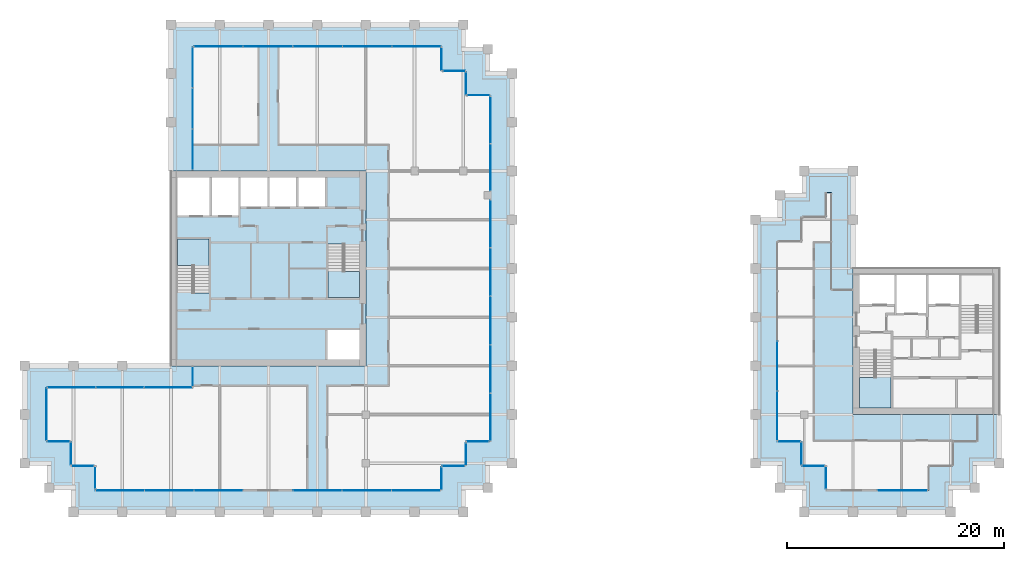
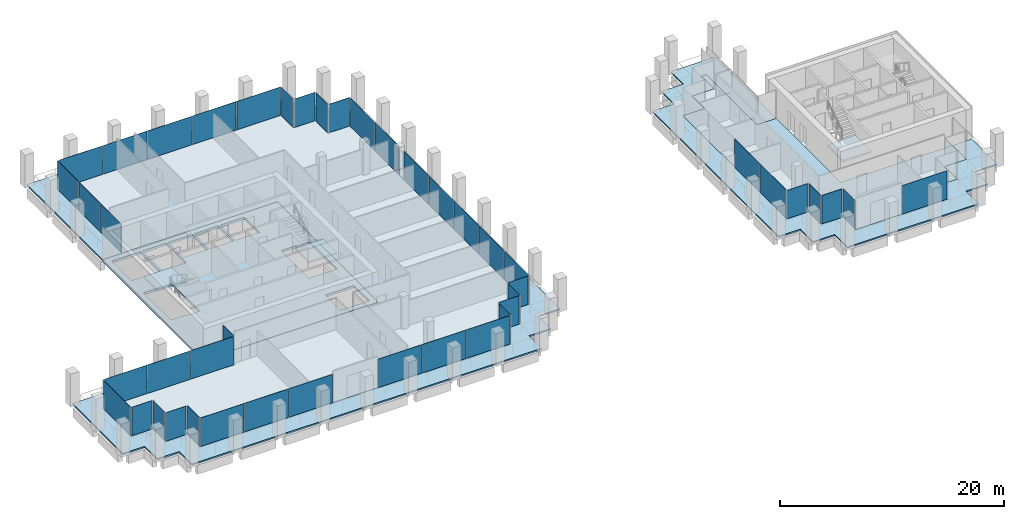
# One storey, part 34 of 40: 45 plates, 8 slabs, 30 elements without a shape of their own.
"""IFC4 building model written with IfcOpenShell, lengths in metres."""

from ifc_helpers import new_model, si_unit, direction, frame, origin, origin_2d, place, context, subcontext, project, spatial, polyline, rectangle, outline, extrude, material, layer, layer_set, type_object, element, aggregate, save


model = new_model("IFC4")

# Units and contexts
model_context = context("Model", 3, precision=1e-05, world=origin(), true_north=direction((0.0, 1.0)))
body_context = subcontext(model_context, "Body", "Model", "MODEL_VIEW")
ifc_project = project(units=[si_unit("LENGTHUNIT", "METRE"), si_unit("AREAUNIT", "SQUARE_METRE"), si_unit("VOLUMEUNIT", "CUBIC_METRE"), si_unit("PLANEANGLEUNIT", "RADIAN"), si_unit("MASSUNIT", "GRAM", prefix="KILO")], contexts=[model_context])

# Site, building, storey
site_placement = place(None, origin())
site = spatial("IfcSite", under=ifc_project, at=site_placement, CompositionType="ELEMENT")
building_placement = place(site_placement, origin())
building = spatial("IfcBuilding", under=site, at=building_placement, Name="Altepetl Exchange Towers", CompositionType="ELEMENT")
storey_placement = place(building_placement, frame((0.0, 0.0, 147.39990234375)))
storey = spatial("IfcBuildingStorey", under=building, at=storey_placement, Name="L36", CompositionType="ELEMENT", Elevation=147.39990234375)

# Slabs
ifc_material_1 = material(Name="Concrete C40/50", Category="concrete")
ifc_layer_1 = layer(ifc_material_1, 0.14990234375)
ifc_layer_set_1 = layer_set([ifc_layer_1], Name="Concrete C40/50")
slab_type_1 = type_object("IfcSlabType", Name="Composite floor slab 150", PredefinedType="FLOOR", material=ifc_layer_set_1)
slab_1_placement = place(storey_placement, frame((0.0, 0.0, -0.14990234375)))
element("IfcSlab", 1, at=slab_1_placement, inside=storey, type_object=slab_type_1, Name="slab:A:L36:strip0", PredefinedType="FLOOR", context=body_context, shape_type="SweptSolid", body=[
    extrude(outline(polyline([(42.5, 70.0), (42.5, 58.5), (58.5, 58.5), (58.5, 40.5), (42.5, 40.5), (42.5, 38.5), (29.0, 38.5), (29.0, 33.5), (31.25, 33.5), (31.25, 31.25), (33.5, 31.25), (33.5, 29.0), (65.5, 29.0), (65.5, 31.25), (67.75, 31.25), (67.75, 33.5), (70.0, 33.5), (70.0, 65.5), (67.75, 65.5), (67.75, 67.75), (65.5, 67.75), (65.5, 70.0), (42.5, 70.0)])), origin(), (0.0, 0.0, 1.0), 0.14990234375),
])
slab_2_placement = place(storey_placement, frame((0.0, 0.0, -0.14990234375)))
element("IfcSlab", 2, at=slab_2_placement, inside=storey, type_object=slab_type_1, Name="slab:B:L36:strip0", PredefinedType="FLOOR", context=body_context, shape_type="SweptSolid", body=[
    extrude(outline(polyline([(98.75, 31.25), (101.0, 31.25), (101.0, 29.0), (110.5, 29.0), (110.5, 31.25), (112.75, 31.25), (112.75, 33.5), (115.0, 33.5), (115.0, 36.0), (103.5, 36.0), (103.5, 47.5), (101.5, 47.5), (101.5, 56.5), (101.0, 56.5), (101.0, 54.25), (98.75, 54.25), (98.75, 52.0), (96.5, 52.0), (96.5, 33.5), (98.75, 33.5), (98.75, 31.25)])), origin(), (0.0, 0.0, 1.0), 0.14990234375),
])
ifc_layer_2 = layer(ifc_material_1, 0.25)
ifc_layer_set_2 = layer_set([ifc_layer_2], Name="Concrete C40/50")
slab_type_2 = type_object("IfcSlabType", Name="Core floor slab 250", PredefinedType="FLOOR", material=ifc_layer_set_2)
slab_3_placement = place(storey_placement, frame((0.0, 0.0, -0.25)))
element("IfcSlab", 3, at=slab_3_placement, inside=storey, type_object=slab_type_2, Name="slab:A:L36:core0", PredefinedType="FLOOR", context=body_context, shape_type="SweptSolid", body=[
    extrude(outline(polyline([(40.5, 40.5), (58.5, 40.5), (58.5, 58.5), (40.5, 58.5), (40.5, 40.5)]), holes=[polyline([(54.93310546875, 43.800048828125), (57.89990234375, 43.800048828125), (57.89990234375, 41.10009765625), (54.93310546875, 41.10009765625), (54.93310546875, 43.800048828125)]), polyline([(55.0, 51.7490234375), (56.5, 51.7490234375), (56.5, 51.64990234375), (57.89990234375, 51.64990234375), (57.89990234375, 46.800048828125), (55.0, 46.800048828125), (55.0, 51.7490234375)]), polyline([(44.0, 47.2509765625), (42.5, 47.2509765625), (42.5, 47.35009765625), (41.10009765625, 47.35009765625), (41.10009765625, 52.199951171875), (44.0, 52.199951171875), (44.0, 47.2509765625)]), polyline([(41.10009765625, 57.89990234375), (44.06689453125, 57.89990234375), (44.06689453125, 54.39990234375), (41.10009765625, 54.39990234375), (41.10009765625, 57.89990234375)]), polyline([(44.26708984375, 57.89990234375), (46.73291015625, 57.89990234375), (46.73291015625, 54.39990234375), (44.26708984375, 54.39990234375), (44.26708984375, 57.89990234375)]), polyline([(46.93310546875, 57.89990234375), (49.39990234375, 57.89990234375), (49.39990234375, 55.199951171875), (46.93310546875, 55.199951171875), (46.93310546875, 57.89990234375)]), polyline([(49.60009765625, 57.89990234375), (52.06689453125, 57.89990234375), (52.06689453125, 55.199951171875), (49.60009765625, 55.199951171875), (49.60009765625, 57.89990234375)]), polyline([(52.26708984375, 57.89990234375), (54.73291015625, 57.89990234375), (54.73291015625, 55.199951171875), (52.26708984375, 55.199951171875), (52.26708984375, 57.89990234375)])]), origin(), (0.0, 0.0, 1.0), 0.25),
])

# Curtain wall, plate
ifc_material_2 = material(Name="Aluminium 6063-T6 glazing", Category="aluminium")
curtain_wall_type = type_object("IfcCurtainWallType", Name="Loggia glazing system", PredefinedType="NOTDEFINED", material=ifc_material_2)
curtain_wall_1_placement = place(storey_placement, origin())
curtain_wall_1 = element("IfcCurtainWall", 4, at=curtain_wall_1_placement, inside=storey, type_object=curtain_wall_type, Name="CW1 run", PredefinedType="NOTDEFINED")
ifc_material_3 = material(Name="Glass 6-16-6 low emissivity", Category="glass")
ifc_layer_3 = layer(ifc_material_3, 0.028076171875)
ifc_layer_set_3 = layer_set([ifc_layer_3], Name="Glass 6-16-6 low emissivity")
plate_type = type_object("IfcPlateType", Name="Glass panel 28 double glazed", PredefinedType="CURTAIN_PANEL", material=ifc_layer_set_3)
plate_1_placement = place(storey_placement, frame((42.5, 39.53759765625, 0.0), z_axis=(0.0, 0.0, 1.0), x_axis=(0.0, -1.0, 0.0)))
plate_1 = element("IfcPlate", 5, at=plate_1_placement, type_object=plate_type, Name="GP1 panel", PredefinedType="CURTAIN_PANEL", context=body_context, shape_type="SweptSolid", body=[
    extrude(rectangle(XDim=1.804931640625, YDim=0.028076171875, at=origin_2d()), origin(), (0.0, 0.0, 1.0), 3.10009765625),
])
aggregate(curtain_wall_1, [plate_1])

# Curtain wall, plates
curtain_wall_2_placement = place(storey_placement, origin())
curtain_wall_2 = element("IfcCurtainWall", 6, at=curtain_wall_2_placement, inside=storey, type_object=curtain_wall_type, Name="CW1 run", PredefinedType="NOTDEFINED")
plate_2_placement = place(storey_placement, frame((40.24755859375, 38.5, 0.0), z_axis=(0.0, 0.0, 1.0), x_axis=(-1.0, 0.0, 0.0)))
plate_2 = element("IfcPlate", 7, at=plate_2_placement, type_object=plate_type, Name="GP1 panel", PredefinedType="CURTAIN_PANEL", context=body_context, shape_type="SweptSolid", body=[
    extrude(rectangle(XDim=4.385009765625, YDim=0.028076171875, at=origin_2d()), origin(), (0.0, 0.0, 1.0), 3.10009765625),
])
plate_3_placement = place(storey_placement, frame((35.78759765625, 38.5, 0.0), z_axis=(0.0, 0.0, 1.0), x_axis=(-1.0, 0.0, 0.0)))
plate_3 = element("IfcPlate", 8, at=plate_3_placement, type_object=plate_type, Name="GP1 panel", PredefinedType="CURTAIN_PANEL", context=body_context, shape_type="SweptSolid", body=[
    extrude(rectangle(XDim=4.4150390625, YDim=0.028076171875, at=origin_2d()), origin(), (0.0, 0.0, 1.0), 3.10009765625),
])
plate_4_placement = place(storey_placement, frame((31.327392578125, 38.5, 0.0), z_axis=(0.0, 0.0, 1.0), x_axis=(-1.0, 0.0, 0.0)))
plate_4 = element("IfcPlate", 9, at=plate_4_placement, type_object=plate_type, Name="GP1 panel", PredefinedType="CURTAIN_PANEL", context=body_context, shape_type="SweptSolid", body=[
    extrude(rectangle(XDim=4.385009765625, YDim=0.028076171875, at=origin_2d()), origin(), (0.0, 0.0, 1.0), 3.10009765625),
])
aggregate(curtain_wall_2, [plate_2, plate_3, plate_4])

# Curtain wall, plate
curtain_wall_3_placement = place(storey_placement, origin())
curtain_wall_3 = element("IfcCurtainWall", 10, at=curtain_wall_3_placement, inside=storey, type_object=curtain_wall_type, Name="CW1 run", PredefinedType="NOTDEFINED")
plate_5_placement = place(storey_placement, frame((29.0, 36.03759765625, 0.0), z_axis=(0.0, 0.0, 1.0), x_axis=(0.0, -1.0, 0.0)))
plate_5 = element("IfcPlate", 11, at=plate_5_placement, type_object=plate_type, Name="GP1 panel", PredefinedType="CURTAIN_PANEL", context=body_context, shape_type="SweptSolid", body=[
    extrude(rectangle(XDim=4.804931640625, YDim=0.028076171875, at=origin_2d()), origin(), (0.0, 0.0, 1.0), 3.10009765625),
])
aggregate(curtain_wall_3, [plate_5])

curtain_wall_4_placement = place(storey_placement, origin())
curtain_wall_4 = element("IfcCurtainWall", 12, at=curtain_wall_4_placement, inside=storey, type_object=curtain_wall_type, Name="CW1 run", PredefinedType="NOTDEFINED")
plate_6_placement = place(storey_placement, frame((30.08740234375, 33.5, 0.0)))
plate_6 = element("IfcPlate", 13, at=plate_6_placement, type_object=plate_type, Name="GP1 panel", PredefinedType="CURTAIN_PANEL", context=body_context, shape_type="SweptSolid", body=[
    extrude(rectangle(XDim=2.054931640625, YDim=0.028076171875, at=origin_2d()), origin(), (0.0, 0.0, 1.0), 3.10009765625),
])
aggregate(curtain_wall_4, [plate_6])

curtain_wall_5_placement = place(storey_placement, origin())
curtain_wall_5 = element("IfcCurtainWall", 14, at=curtain_wall_5_placement, inside=storey, type_object=curtain_wall_type, Name="CW1 run", PredefinedType="NOTDEFINED")
plate_7_placement = place(storey_placement, frame((31.25, 32.41259765625, 0.0), z_axis=(0.0, 0.0, 1.0), x_axis=(0.0, -1.0, 0.0)))
plate_7 = element("IfcPlate", 15, at=plate_7_placement, type_object=plate_type, Name="GP1 panel", PredefinedType="CURTAIN_PANEL", context=body_context, shape_type="SweptSolid", body=[
    extrude(rectangle(XDim=2.054931640625, YDim=0.028076171875, at=origin_2d()), origin(), (0.0, 0.0, 1.0), 3.10009765625),
])
aggregate(curtain_wall_5, [plate_7])

curtain_wall_6_placement = place(storey_placement, origin())
curtain_wall_6 = element("IfcCurtainWall", 16, at=curtain_wall_6_placement, inside=storey, type_object=curtain_wall_type, Name="CW1 run", PredefinedType="NOTDEFINED")
plate_8_placement = place(storey_placement, frame((32.33740234375, 31.25, 0.0)))
plate_8 = element("IfcPlate", 17, at=plate_8_placement, type_object=plate_type, Name="GP1 panel", PredefinedType="CURTAIN_PANEL", context=body_context, shape_type="SweptSolid", body=[
    extrude(rectangle(XDim=2.054931640625, YDim=0.028076171875, at=origin_2d()), origin(), (0.0, 0.0, 1.0), 3.10009765625),
])
aggregate(curtain_wall_6, [plate_8])

curtain_wall_7_placement = place(storey_placement, origin())
curtain_wall_7 = element("IfcCurtainWall", 18, at=curtain_wall_7_placement, inside=storey, type_object=curtain_wall_type, Name="CW1 run", PredefinedType="NOTDEFINED")
plate_9_placement = place(storey_placement, frame((33.5, 30.16259765625, 0.0), z_axis=(0.0, 0.0, 1.0), x_axis=(0.0, -1.0, 0.0)))
plate_9 = element("IfcPlate", 19, at=plate_9_placement, type_object=plate_type, Name="GP1 panel", PredefinedType="CURTAIN_PANEL", context=body_context, shape_type="SweptSolid", body=[
    extrude(rectangle(XDim=2.054931640625, YDim=0.028076171875, at=origin_2d()), origin(), (0.0, 0.0, 1.0), 3.10009765625),
])
aggregate(curtain_wall_7, [plate_9])

# Curtain wall, plates
curtain_wall_8_placement = place(storey_placement, origin())
curtain_wall_8 = element("IfcCurtainWall", 20, at=curtain_wall_8_placement, inside=storey, type_object=curtain_wall_type, Name="CW1 run", PredefinedType="NOTDEFINED")
plate_10_placement = place(storey_placement, frame((35.79541015625, 29.0, 0.0)))
plate_10 = element("IfcPlate", 21, at=plate_10_placement, type_object=plate_type, Name="GP1 panel", PredefinedType="CURTAIN_PANEL", context=body_context, shape_type="SweptSolid", body=[
    extrude(rectangle(XDim=4.470703125, YDim=0.028076171875, at=origin_2d()), origin(), (0.0, 0.0, 1.0), 3.10009765625),
])
plate_11_placement = place(storey_placement, frame((40.341064453125, 29.0, 0.0)))
plate_11 = element("IfcPlate", 22, at=plate_11_placement, type_object=plate_type, Name="GP1 panel", PredefinedType="CURTAIN_PANEL", context=body_context, shape_type="SweptSolid", body=[
    extrude(rectangle(XDim=4.500732421875, YDim=0.028076171875, at=origin_2d()), origin(), (0.0, 0.0, 1.0), 3.10009765625),
])
plate_12_placement = place(storey_placement, frame((44.88671875, 29.0, 0.0)))
plate_12 = element("IfcPlate", 23, at=plate_12_placement, type_object=plate_type, Name="GP1 panel", PredefinedType="CURTAIN_PANEL", context=body_context, shape_type="SweptSolid", body=[
    extrude(rectangle(XDim=4.470703125, YDim=0.028076171875, at=origin_2d()), origin(), (0.0, 0.0, 1.0), 3.10009765625),
])
aggregate(curtain_wall_8, [plate_10, plate_11, plate_12])

curtain_wall_9_placement = place(storey_placement, origin())
curtain_wall_9 = element("IfcCurtainWall", 24, at=curtain_wall_9_placement, inside=storey, type_object=curtain_wall_type, Name="CW1 run", PredefinedType="NOTDEFINED")
plate_13_placement = place(storey_placement, frame((54.038330078125, 29.0, 0.0)))
plate_13 = element("IfcPlate", 25, at=plate_13_placement, type_object=plate_type, Name="GP1 panel", PredefinedType="CURTAIN_PANEL", context=body_context, shape_type="SweptSolid", body=[
    extrude(rectangle(XDim=4.470703125, YDim=0.028076171875, at=origin_2d()), origin(), (0.0, 0.0, 1.0), 3.10009765625),
])
plate_14_placement = place(storey_placement, frame((58.583984375, 29.0, 0.0)))
plate_14 = element("IfcPlate", 26, at=plate_14_placement, type_object=plate_type, Name="GP1 panel", PredefinedType="CURTAIN_PANEL", context=body_context, shape_type="SweptSolid", body=[
    extrude(rectangle(XDim=4.500732421875, YDim=0.028076171875, at=origin_2d()), origin(), (0.0, 0.0, 1.0), 3.10009765625),
])
plate_15_placement = place(storey_placement, frame((63.129638671875, 29.0, 0.0)))
plate_15 = element("IfcPlate", 27, at=plate_15_placement, type_object=plate_type, Name="GP1 panel", PredefinedType="CURTAIN_PANEL", context=body_context, shape_type="SweptSolid", body=[
    extrude(rectangle(XDim=4.470703125, YDim=0.028076171875, at=origin_2d()), origin(), (0.0, 0.0, 1.0), 3.10009765625),
])
aggregate(curtain_wall_9, [plate_13, plate_14, plate_15])

# Curtain wall, plate
curtain_wall_10_placement = place(storey_placement, origin())
curtain_wall_10 = element("IfcCurtainWall", 28, at=curtain_wall_10_placement, inside=storey, type_object=curtain_wall_type, Name="CW1 run", PredefinedType="NOTDEFINED")
plate_16_placement = place(storey_placement, frame((65.5, 30.08740234375, 0.0), z_axis=(0.0, 0.0, 1.0), x_axis=(0.0, 1.0, 0.0)))
plate_16 = element("IfcPlate", 29, at=plate_16_placement, type_object=plate_type, Name="GP1 panel", PredefinedType="CURTAIN_PANEL", context=body_context, shape_type="SweptSolid", body=[
    extrude(rectangle(XDim=2.054931640625, YDim=0.028076171875, at=origin_2d()), origin(), (0.0, 0.0, 1.0), 3.10009765625),
])
aggregate(curtain_wall_10, [plate_16])

curtain_wall_11_placement = place(storey_placement, origin())
curtain_wall_11 = element("IfcCurtainWall", 30, at=curtain_wall_11_placement, inside=storey, type_object=curtain_wall_type, Name="CW1 run", PredefinedType="NOTDEFINED")
plate_17_placement = place(storey_placement, frame((66.58740234375, 31.25, 0.0)))
plate_17 = element("IfcPlate", 31, at=plate_17_placement, type_object=plate_type, Name="GP1 panel", PredefinedType="CURTAIN_PANEL", context=body_context, shape_type="SweptSolid", body=[
    extrude(rectangle(XDim=2.054931640625, YDim=0.028076171875, at=origin_2d()), origin(), (0.0, 0.0, 1.0), 3.10009765625),
])
aggregate(curtain_wall_11, [plate_17])

curtain_wall_12_placement = place(storey_placement, origin())
curtain_wall_12 = element("IfcCurtainWall", 32, at=curtain_wall_12_placement, inside=storey, type_object=curtain_wall_type, Name="CW1 run", PredefinedType="NOTDEFINED")
plate_18_placement = place(storey_placement, frame((67.75, 32.33740234375, 0.0), z_axis=(0.0, 0.0, 1.0), x_axis=(0.0, 1.0, 0.0)))
plate_18 = element("IfcPlate", 33, at=plate_18_placement, type_object=plate_type, Name="GP1 panel", PredefinedType="CURTAIN_PANEL", context=body_context, shape_type="SweptSolid", body=[
    extrude(rectangle(XDim=2.054931640625, YDim=0.028076171875, at=origin_2d()), origin(), (0.0, 0.0, 1.0), 3.10009765625),
])
aggregate(curtain_wall_12, [plate_18])

curtain_wall_13_placement = place(storey_placement, origin())
curtain_wall_13 = element("IfcCurtainWall", 34, at=curtain_wall_13_placement, inside=storey, type_object=curtain_wall_type, Name="CW1 run", PredefinedType="NOTDEFINED")
plate_19_placement = place(storey_placement, frame((68.83740234375, 33.5, 0.0)))
plate_19 = element("IfcPlate", 35, at=plate_19_placement, type_object=plate_type, Name="GP1 panel", PredefinedType="CURTAIN_PANEL", context=body_context, shape_type="SweptSolid", body=[
    extrude(rectangle(XDim=2.054931640625, YDim=0.028076171875, at=origin_2d()), origin(), (0.0, 0.0, 1.0), 3.10009765625),
])
aggregate(curtain_wall_13, [plate_19])

# Curtain wall, plates
curtain_wall_14_placement = place(storey_placement, origin())
curtain_wall_14 = element("IfcCurtainWall", 36, at=curtain_wall_14_placement, inside=storey, type_object=curtain_wall_type, Name="CW1 run", PredefinedType="NOTDEFINED")
plate_20_placement = place(storey_placement, frame((70.0, 35.7529296875, 0.0), z_axis=(0.0, 0.0, 1.0), x_axis=(0.0, 1.0, 0.0)))
plate_20 = element("IfcPlate", 37, at=plate_20_placement, type_object=plate_type, Name="GP1 panel", PredefinedType="CURTAIN_PANEL", context=body_context, shape_type="SweptSolid", body=[
    extrude(rectangle(XDim=4.385986328125, YDim=0.028076171875, at=origin_2d()), origin(), (0.0, 0.0, 1.0), 3.10009765625),
])
plate_21_placement = place(storey_placement, frame((70.0, 40.214111328125, 0.0), z_axis=(0.0, 0.0, 1.0), x_axis=(0.0, 1.0, 0.0)))
plate_21 = element("IfcPlate", 38, at=plate_21_placement, type_object=plate_type, Name="GP1 panel", PredefinedType="CURTAIN_PANEL", context=body_context, shape_type="SweptSolid", body=[
    extrude(rectangle(XDim=4.416015625, YDim=0.028076171875, at=origin_2d()), origin(), (0.0, 0.0, 1.0), 3.10009765625),
])
plate_22_placement = place(storey_placement, frame((70.0, 44.68994140625, 0.0), z_axis=(0.0, 0.0, 1.0), x_axis=(0.0, 1.0, 0.0)))
plate_22 = element("IfcPlate", 39, at=plate_22_placement, type_object=plate_type, Name="GP1 panel", PredefinedType="CURTAIN_PANEL", context=body_context, shape_type="SweptSolid", body=[
    extrude(rectangle(XDim=4.416015625, YDim=0.028076171875, at=origin_2d()), origin(), (0.0, 0.0, 1.0), 3.10009765625),
])
plate_23_placement = place(storey_placement, frame((70.0, 49.166015625, 0.0), z_axis=(0.0, 0.0, 1.0), x_axis=(0.0, 1.0, 0.0)))
plate_23 = element("IfcPlate", 40, at=plate_23_placement, type_object=plate_type, Name="GP1 panel", PredefinedType="CURTAIN_PANEL", context=body_context, shape_type="SweptSolid", body=[
    extrude(rectangle(XDim=4.416015625, YDim=0.028076171875, at=origin_2d()), origin(), (0.0, 0.0, 1.0), 3.10009765625),
])
plate_24_placement = place(storey_placement, frame((70.0, 53.626953125, 0.0), z_axis=(0.0, 0.0, 1.0), x_axis=(0.0, 1.0, 0.0)))
plate_24 = element("IfcPlate", 41, at=plate_24_placement, type_object=plate_type, Name="GP1 panel", PredefinedType="CURTAIN_PANEL", context=body_context, shape_type="SweptSolid", body=[
    extrude(rectangle(XDim=4.385986328125, YDim=0.028076171875, at=origin_2d()), origin(), (0.0, 0.0, 1.0), 3.10009765625),
])
aggregate(curtain_wall_14, [plate_20, plate_21, plate_22, plate_23, plate_24])

curtain_wall_15_placement = place(storey_placement, origin())
curtain_wall_15 = element("IfcCurtainWall", 42, at=curtain_wall_15_placement, inside=storey, type_object=curtain_wall_type, Name="CW1 run", PredefinedType="NOTDEFINED")
plate_25_placement = place(storey_placement, frame((70.0, 58.836181640625, 0.0), z_axis=(0.0, 0.0, 1.0), x_axis=(0.0, 1.0, 0.0)))
plate_25 = element("IfcPlate", 43, at=plate_25_placement, type_object=plate_type, Name="GP1 panel", PredefinedType="CURTAIN_PANEL", context=body_context, shape_type="SweptSolid", body=[
    extrude(rectangle(XDim=4.3125, YDim=0.028076171875, at=origin_2d()), origin(), (0.0, 0.0, 1.0), 3.10009765625),
])
plate_26_placement = place(storey_placement, frame((70.0, 63.208740234375, 0.0), z_axis=(0.0, 0.0, 1.0), x_axis=(0.0, 1.0, 0.0)))
plate_26 = element("IfcPlate", 44, at=plate_26_placement, type_object=plate_type, Name="GP1 panel", PredefinedType="CURTAIN_PANEL", context=body_context, shape_type="SweptSolid", body=[
    extrude(rectangle(XDim=4.3125, YDim=0.028076171875, at=origin_2d()), origin(), (0.0, 0.0, 1.0), 3.10009765625),
])
aggregate(curtain_wall_15, [plate_25, plate_26])

# Curtain wall, plate
curtain_wall_16_placement = place(storey_placement, origin())
curtain_wall_16 = element("IfcCurtainWall", 45, at=curtain_wall_16_placement, inside=storey, type_object=curtain_wall_type, Name="CW1 run", PredefinedType="NOTDEFINED")
plate_27_placement = place(storey_placement, frame((68.91259765625, 65.5, 0.0), z_axis=(0.0, 0.0, 1.0), x_axis=(-1.0, 0.0, 0.0)))
plate_27 = element("IfcPlate", 46, at=plate_27_placement, type_object=plate_type, Name="GP1 panel", PredefinedType="CURTAIN_PANEL", context=body_context, shape_type="SweptSolid", body=[
    extrude(rectangle(XDim=2.054931640625, YDim=0.028076171875, at=origin_2d()), origin(), (0.0, 0.0, 1.0), 3.10009765625),
])
aggregate(curtain_wall_16, [plate_27])

curtain_wall_17_placement = place(storey_placement, origin())
curtain_wall_17 = element("IfcCurtainWall", 47, at=curtain_wall_17_placement, inside=storey, type_object=curtain_wall_type, Name="CW1 run", PredefinedType="NOTDEFINED")
plate_28_placement = place(storey_placement, frame((67.75, 66.58740234375, 0.0), z_axis=(0.0, 0.0, 1.0), x_axis=(0.0, 1.0, 0.0)))
plate_28 = element("IfcPlate", 48, at=plate_28_placement, type_object=plate_type, Name="GP1 panel", PredefinedType="CURTAIN_PANEL", context=body_context, shape_type="SweptSolid", body=[
    extrude(rectangle(XDim=2.054931640625, YDim=0.028076171875, at=origin_2d()), origin(), (0.0, 0.0, 1.0), 3.10009765625),
])
aggregate(curtain_wall_17, [plate_28])

curtain_wall_18_placement = place(storey_placement, origin())
curtain_wall_18 = element("IfcCurtainWall", 49, at=curtain_wall_18_placement, inside=storey, type_object=curtain_wall_type, Name="CW1 run", PredefinedType="NOTDEFINED")
plate_29_placement = place(storey_placement, frame((66.66259765625, 67.75, 0.0), z_axis=(0.0, 0.0, 1.0), x_axis=(-1.0, 0.0, 0.0)))
plate_29 = element("IfcPlate", 50, at=plate_29_placement, type_object=plate_type, Name="GP1 panel", PredefinedType="CURTAIN_PANEL", context=body_context, shape_type="SweptSolid", body=[
    extrude(rectangle(XDim=2.054931640625, YDim=0.028076171875, at=origin_2d()), origin(), (0.0, 0.0, 1.0), 3.10009765625),
])
aggregate(curtain_wall_18, [plate_29])

curtain_wall_19_placement = place(storey_placement, origin())
curtain_wall_19 = element("IfcCurtainWall", 51, at=curtain_wall_19_placement, inside=storey, type_object=curtain_wall_type, Name="CW1 run", PredefinedType="NOTDEFINED")
plate_30_placement = place(storey_placement, frame((65.5, 68.83740234375, 0.0), z_axis=(0.0, 0.0, 1.0), x_axis=(0.0, 1.0, 0.0)))
plate_30 = element("IfcPlate", 52, at=plate_30_placement, type_object=plate_type, Name="GP1 panel", PredefinedType="CURTAIN_PANEL", context=body_context, shape_type="SweptSolid", body=[
    extrude(rectangle(XDim=2.054931640625, YDim=0.028076171875, at=origin_2d()), origin(), (0.0, 0.0, 1.0), 3.10009765625),
])
aggregate(curtain_wall_19, [plate_30])

# Curtain wall, plates
curtain_wall_20_placement = place(storey_placement, origin())
curtain_wall_20 = element("IfcCurtainWall", 53, at=curtain_wall_20_placement, inside=storey, type_object=curtain_wall_type, Name="CW1 run", PredefinedType="NOTDEFINED")
plate_31_placement = place(storey_placement, frame((63.1923828125, 70.0, 0.0), z_axis=(0.0, 0.0, 1.0), x_axis=(-1.0, 0.0, 0.0)))
plate_31 = element("IfcPlate", 54, at=plate_31_placement, type_object=plate_type, Name="GP1 panel", PredefinedType="CURTAIN_PANEL", context=body_context, shape_type="SweptSolid", body=[
    extrude(rectangle(XDim=4.4951171875, YDim=0.028076171875, at=origin_2d()), origin(), (0.0, 0.0, 1.0), 3.10009765625),
])
plate_32_placement = place(storey_placement, frame((58.62255859375, 70.0, 0.0), z_axis=(0.0, 0.0, 1.0), x_axis=(-1.0, 0.0, 0.0)))
plate_32 = element("IfcPlate", 55, at=plate_32_placement, type_object=plate_type, Name="GP1 panel", PredefinedType="CURTAIN_PANEL", context=body_context, shape_type="SweptSolid", body=[
    extrude(rectangle(XDim=4.52490234375, YDim=0.028076171875, at=origin_2d()), origin(), (0.0, 0.0, 1.0), 3.10009765625),
])
plate_33_placement = place(storey_placement, frame((54.03759765625, 70.0, 0.0), z_axis=(0.0, 0.0, 1.0), x_axis=(-1.0, 0.0, 0.0)))
plate_33 = element("IfcPlate", 56, at=plate_33_placement, type_object=plate_type, Name="GP1 panel", PredefinedType="CURTAIN_PANEL", context=body_context, shape_type="SweptSolid", body=[
    extrude(rectangle(XDim=4.52490234375, YDim=0.028076171875, at=origin_2d()), origin(), (0.0, 0.0, 1.0), 3.10009765625),
])
plate_34_placement = place(storey_placement, frame((49.452392578125, 70.0, 0.0), z_axis=(0.0, 0.0, 1.0), x_axis=(-1.0, 0.0, 0.0)))
plate_34 = element("IfcPlate", 57, at=plate_34_placement, type_object=plate_type, Name="GP1 panel", PredefinedType="CURTAIN_PANEL", context=body_context, shape_type="SweptSolid", body=[
    extrude(rectangle(XDim=4.52490234375, YDim=0.028076171875, at=origin_2d()), origin(), (0.0, 0.0, 1.0), 3.10009765625),
])
plate_35_placement = place(storey_placement, frame((44.882568359375, 70.0, 0.0), z_axis=(0.0, 0.0, 1.0), x_axis=(-1.0, 0.0, 0.0)))
plate_35 = element("IfcPlate", 58, at=plate_35_placement, type_object=plate_type, Name="GP1 panel", PredefinedType="CURTAIN_PANEL", context=body_context, shape_type="SweptSolid", body=[
    extrude(rectangle(XDim=4.4951171875, YDim=0.028076171875, at=origin_2d()), origin(), (0.0, 0.0, 1.0), 3.10009765625),
])
aggregate(curtain_wall_20, [plate_31, plate_32, plate_33, plate_34, plate_35])

curtain_wall_21_placement = place(storey_placement, origin())
curtain_wall_21 = element("IfcCurtainWall", 59, at=curtain_wall_21_placement, inside=storey, type_object=curtain_wall_type, Name="CW1 run", PredefinedType="NOTDEFINED")
plate_36_placement = place(storey_placement, frame((42.5, 68.080810546875, 0.0), z_axis=(0.0, 0.0, 1.0), x_axis=(0.0, -1.0, 0.0)))
plate_36 = element("IfcPlate", 60, at=plate_36_placement, type_object=plate_type, Name="GP1 panel", PredefinedType="CURTAIN_PANEL", context=body_context, shape_type="SweptSolid", body=[
    extrude(rectangle(XDim=3.71826171875, YDim=0.028076171875, at=origin_2d()), origin(), (0.0, 0.0, 1.0), 3.10009765625),
])
plate_37_placement = place(storey_placement, frame((42.5, 64.28759765625, 0.0), z_axis=(0.0, 0.0, 1.0), x_axis=(0.0, -1.0, 0.0)))
plate_37 = element("IfcPlate", 61, at=plate_37_placement, type_object=plate_type, Name="GP1 panel", PredefinedType="CURTAIN_PANEL", context=body_context, shape_type="SweptSolid", body=[
    extrude(rectangle(XDim=3.748291015625, YDim=0.028076171875, at=origin_2d()), origin(), (0.0, 0.0, 1.0), 3.10009765625),
])
plate_38_placement = place(storey_placement, frame((42.5, 60.494140625, 0.0), z_axis=(0.0, 0.0, 1.0), x_axis=(0.0, -1.0, 0.0)))
plate_38 = element("IfcPlate", 62, at=plate_38_placement, type_object=plate_type, Name="GP1 panel", PredefinedType="CURTAIN_PANEL", context=body_context, shape_type="SweptSolid", body=[
    extrude(rectangle(XDim=3.71826171875, YDim=0.028076171875, at=origin_2d()), origin(), (0.0, 0.0, 1.0), 3.10009765625),
])
aggregate(curtain_wall_21, [plate_36, plate_37, plate_38])

# Curtain wall, plate
curtain_wall_22_placement = place(storey_placement, origin())
curtain_wall_22 = element("IfcCurtainWall", 63, at=curtain_wall_22_placement, inside=storey, type_object=curtain_wall_type, Name="CW1 run", PredefinedType="NOTDEFINED")
plate_39_placement = place(storey_placement, frame((101.0, 30.16259765625, 0.0), z_axis=(0.0, 0.0, 1.0), x_axis=(0.0, -1.0, 0.0)))
plate_39 = element("IfcPlate", 64, at=plate_39_placement, type_object=plate_type, Name="GP1 panel", PredefinedType="CURTAIN_PANEL", context=body_context, shape_type="SweptSolid", body=[
    extrude(rectangle(XDim=2.054931640625, YDim=0.028076171875, at=origin_2d()), origin(), (0.0, 0.0, 1.0), 3.10009765625),
])
aggregate(curtain_wall_22, [plate_39])

curtain_wall_23_placement = place(storey_placement, origin())
curtain_wall_23 = element("IfcCurtainWall", 65, at=curtain_wall_23_placement, inside=storey, type_object=curtain_wall_type, Name="CW1 run", PredefinedType="NOTDEFINED")
plate_40_placement = place(storey_placement, frame((108.06884765625, 29.0, 0.0)))
plate_40 = element("IfcPlate", 66, at=plate_40_placement, type_object=plate_type, Name="GP1 panel", PredefinedType="CURTAIN_PANEL", context=body_context, shape_type="SweptSolid", body=[
    extrude(rectangle(XDim=4.592529296875, YDim=0.028076171875, at=origin_2d()), origin(), (0.0, 0.0, 1.0), 3.10009765625),
])
aggregate(curtain_wall_23, [plate_40])

# Curtain wall, plates
curtain_wall_24_placement = place(storey_placement, origin())
curtain_wall_24 = element("IfcCurtainWall", 67, at=curtain_wall_24_placement, inside=storey, type_object=curtain_wall_type, Name="CW1 run", PredefinedType="NOTDEFINED")
plate_41_placement = place(storey_placement, frame((96.5, 40.484375, 0.0), z_axis=(0.0, 0.0, 1.0), x_axis=(0.0, -1.0, 0.0)))
plate_41 = element("IfcPlate", 68, at=plate_41_placement, type_object=plate_type, Name="GP1 panel", PredefinedType="CURTAIN_PANEL", context=body_context, shape_type="SweptSolid", body=[
    extrude(rectangle(XDim=4.546142578125, YDim=0.028076171875, at=origin_2d()), origin(), (0.0, 0.0, 1.0), 3.10009765625),
])
plate_42_placement = place(storey_placement, frame((96.5, 35.89306640625, 0.0), z_axis=(0.0, 0.0, 1.0), x_axis=(0.0, -1.0, 0.0)))
plate_42 = element("IfcPlate", 69, at=plate_42_placement, type_object=plate_type, Name="GP1 panel", PredefinedType="CURTAIN_PANEL", context=body_context, shape_type="SweptSolid", body=[
    extrude(rectangle(XDim=4.516357421875, YDim=0.028076171875, at=origin_2d()), origin(), (0.0, 0.0, 1.0), 3.10009765625),
])
aggregate(curtain_wall_24, [plate_41, plate_42])

# Curtain wall, plate
curtain_wall_25_placement = place(storey_placement, origin())
curtain_wall_25 = element("IfcCurtainWall", 70, at=curtain_wall_25_placement, inside=storey, type_object=curtain_wall_type, Name="CW1 run", PredefinedType="NOTDEFINED")
plate_43_placement = place(storey_placement, frame((97.58740234375, 33.5, 0.0)))
plate_43 = element("IfcPlate", 71, at=plate_43_placement, type_object=plate_type, Name="GP1 panel", PredefinedType="CURTAIN_PANEL", context=body_context, shape_type="SweptSolid", body=[
    extrude(rectangle(XDim=2.054931640625, YDim=0.028076171875, at=origin_2d()), origin(), (0.0, 0.0, 1.0), 3.10009765625),
])
aggregate(curtain_wall_25, [plate_43])

curtain_wall_26_placement = place(storey_placement, origin())
curtain_wall_26 = element("IfcCurtainWall", 72, at=curtain_wall_26_placement, inside=storey, type_object=curtain_wall_type, Name="CW1 run", PredefinedType="NOTDEFINED")
plate_44_placement = place(storey_placement, frame((98.75, 32.41259765625, 0.0), z_axis=(0.0, 0.0, 1.0), x_axis=(0.0, -1.0, 0.0)))
plate_44 = element("IfcPlate", 73, at=plate_44_placement, type_object=plate_type, Name="GP1 panel", PredefinedType="CURTAIN_PANEL", context=body_context, shape_type="SweptSolid", body=[
    extrude(rectangle(XDim=2.054931640625, YDim=0.028076171875, at=origin_2d()), origin(), (0.0, 0.0, 1.0), 3.10009765625),
])
aggregate(curtain_wall_26, [plate_44])

curtain_wall_27_placement = place(storey_placement, origin())
curtain_wall_27 = element("IfcCurtainWall", 74, at=curtain_wall_27_placement, inside=storey, type_object=curtain_wall_type, Name="CW1 run", PredefinedType="NOTDEFINED")
plate_45_placement = place(storey_placement, frame((99.83740234375, 31.25, 0.0)))
plate_45 = element("IfcPlate", 75, at=plate_45_placement, type_object=plate_type, Name="GP1 panel", PredefinedType="CURTAIN_PANEL", context=body_context, shape_type="SweptSolid", body=[
    extrude(rectangle(XDim=2.054931640625, YDim=0.028076171875, at=origin_2d()), origin(), (0.0, 0.0, 1.0), 3.10009765625),
])
aggregate(curtain_wall_27, [plate_45])

# Slabs
ifc_layer_4 = layer(ifc_material_1, 0.14990234375)
ifc_layer_set_4 = layer_set([ifc_layer_4], Name="Concrete C40/50")
slab_type_3 = type_object("IfcSlabType", Name="Loggia slab 150", PredefinedType="FLOOR", material=ifc_layer_set_4)
slab_4_placement = place(storey_placement, frame((0.0, 0.0, -0.14990234375)))
element("IfcSlab", 76, at=slab_4_placement, inside=storey, type_object=slab_type_3, Name="slab:A:L36:loggia0", PredefinedType="FLOOR", context=body_context, shape_type="SweptSolid", body=[
    extrude(outline(polyline([(40.5, 72.0), (40.5, 58.5), (42.5, 58.5), (42.5, 70.0), (65.5, 70.0), (65.5, 67.75), (67.75, 67.75), (67.75, 65.5), (70.0, 65.5), (70.0, 33.5), (67.75, 33.5), (67.75, 31.25), (65.5, 31.25), (65.5, 29.0), (33.5, 29.0), (33.5, 31.25), (31.25, 31.25), (31.25, 33.5), (29.0, 33.5), (29.0, 38.5), (42.5, 38.5), (42.5, 40.5), (40.5, 40.5), (27.0, 40.5), (27.0, 31.5), (29.25, 31.5), (29.25, 29.25), (31.5, 29.25), (31.5, 27.0), (58.5, 27.0), (67.5, 27.0), (67.5, 29.25), (69.75, 29.25), (69.75, 31.5), (72.0, 31.5), (72.0, 58.5), (72.0, 67.5), (69.75, 67.5), (69.75, 69.75), (67.5, 69.75), (67.5, 72.0), (40.5, 72.0)])), origin(), (0.0, 0.0, 1.0), 0.14990234375),
])
slab_5_placement = place(storey_placement, frame((0.0, 0.0, -0.14990234375)))
element("IfcSlab", 77, at=slab_5_placement, inside=storey, type_object=slab_type_3, Name="slab:B:L36:loggia0", PredefinedType="FLOOR", context=body_context, shape_type="SweptSolid", body=[
    extrude(outline(polyline([(99.0, 29.25), (99.0, 27.0), (112.5, 27.0), (112.5, 29.25), (114.75, 29.25), (114.75, 31.5), (117.0, 31.5), (117.0, 36.0), (115.0, 36.0), (115.0, 33.5), (112.75, 33.5), (112.75, 31.25), (110.5, 31.25), (110.5, 29.0), (101.0, 29.0), (101.0, 31.25), (98.75, 31.25), (98.75, 33.5), (96.5, 33.5), (96.5, 52.0), (98.75, 52.0), (98.75, 54.25), (101.0, 54.25), (101.0, 56.5), (101.5, 56.5), (101.5, 47.5), (103.5, 47.5), (103.5, 49.5), (103.5, 58.5), (99.0, 58.5), (99.0, 56.25), (96.75, 56.25), (96.75, 54.0), (94.5, 54.0), (94.5, 36.0), (94.5, 31.5), (96.75, 31.5), (96.75, 29.25), (99.0, 29.25)])), origin(), (0.0, 0.0, 1.0), 0.14990234375),
])

# Stair, slab
stair_type = type_object("IfcStairType", Name="Exit stair 1400 flights dogleg", PredefinedType="HALF_TURN_STAIR", material=ifc_material_1)
stair_1_placement = place(storey_placement, origin())
stair_1 = element("IfcStair", 78, at=stair_1_placement, inside=storey, type_object=stair_type, Name="Exit stair 1", PredefinedType="HALF_TURN_STAIR")
ifc_layer_5 = layer(ifc_material_1, 0.199951171875)
ifc_layer_set_5 = layer_set([ifc_layer_5], Name="Concrete C40/50")
slab_type_4 = type_object("IfcSlabType", Name="Stair landing 200 reinforced concrete", PredefinedType="LANDING", material=ifc_layer_set_5)
slab_6_placement = place(storey_placement, frame((0.0, 0.0, 1.60009765625)))
slab_6 = element("IfcSlab", 79, at=slab_6_placement, type_object=slab_type_4, Name="ST-A1e landing 1", PredefinedType="LANDING", context=body_context, shape_type="SweptSolid", body=[
    extrude(outline(polyline([(44.0, 49.669921875), (42.60009765625, 49.669921875), (42.60009765625, 49.77001953125), (42.5, 49.77001953125), (42.5, 49.769287109375), (41.10009765625, 49.769287109375), (41.10009765625, 49.77001953125), (41.10009765625, 52.199951171875), (44.0, 52.199951171875), (44.0, 49.77001953125), (44.0, 49.669921875)])), origin(), (0.0, 0.0, 1.0), 0.199951171875),
])
aggregate(stair_1, [slab_6])

stair_2_placement = place(storey_placement, origin())
stair_2 = element("IfcStair", 80, at=stair_2_placement, inside=storey, type_object=stair_type, Name="Exit stair 2", PredefinedType="HALF_TURN_STAIR")
slab_7_placement = place(storey_placement, frame((0.0, 0.0, 1.60009765625)))
slab_7 = element("IfcSlab", 81, at=slab_7_placement, type_object=slab_type_4, Name="ST-A2e landing 1", PredefinedType="LANDING", context=body_context, shape_type="SweptSolid", body=[
    extrude(outline(polyline([(57.89990234375, 46.800048828125), (55.0, 46.800048828125), (55.0, 49.22998046875), (55.0, 49.330078125), (56.39990234375, 49.330078125), (56.39990234375, 49.22998046875), (56.5, 49.22998046875), (56.5, 49.230712890625), (57.89990234375, 49.230712890625), (57.89990234375, 49.22998046875), (57.89990234375, 46.800048828125)])), origin(), (0.0, 0.0, 1.0), 0.199951171875),
])
aggregate(stair_2, [slab_7])

stair_3_placement = place(storey_placement, origin())
stair_3 = element("IfcStair", 82, at=stair_3_placement, inside=storey, type_object=stair_type, Name="Exit stair 1", PredefinedType="HALF_TURN_STAIR")
slab_8_placement = place(storey_placement, frame((0.0, 0.0, 1.60009765625)))
slab_8 = element("IfcSlab", 83, at=slab_8_placement, type_object=slab_type_4, Name="ST-B1e landing 1", PredefinedType="LANDING", context=body_context, shape_type="SweptSolid", body=[
    extrude(outline(polyline([(107.0, 36.60009765625), (104.10009765625, 36.60009765625), (104.10009765625, 39.429931640625), (104.10009765625, 39.4306640625), (105.5, 39.4306640625), (105.5, 39.429931640625), (105.60009765625, 39.429931640625), (105.60009765625, 39.530029296875), (107.0, 39.530029296875), (107.0, 39.429931640625), (107.0, 36.60009765625)])), origin(), (0.0, 0.0, 1.0), 0.199951171875),
])
aggregate(stair_3, [slab_8])

save(model, "model.ifc")
